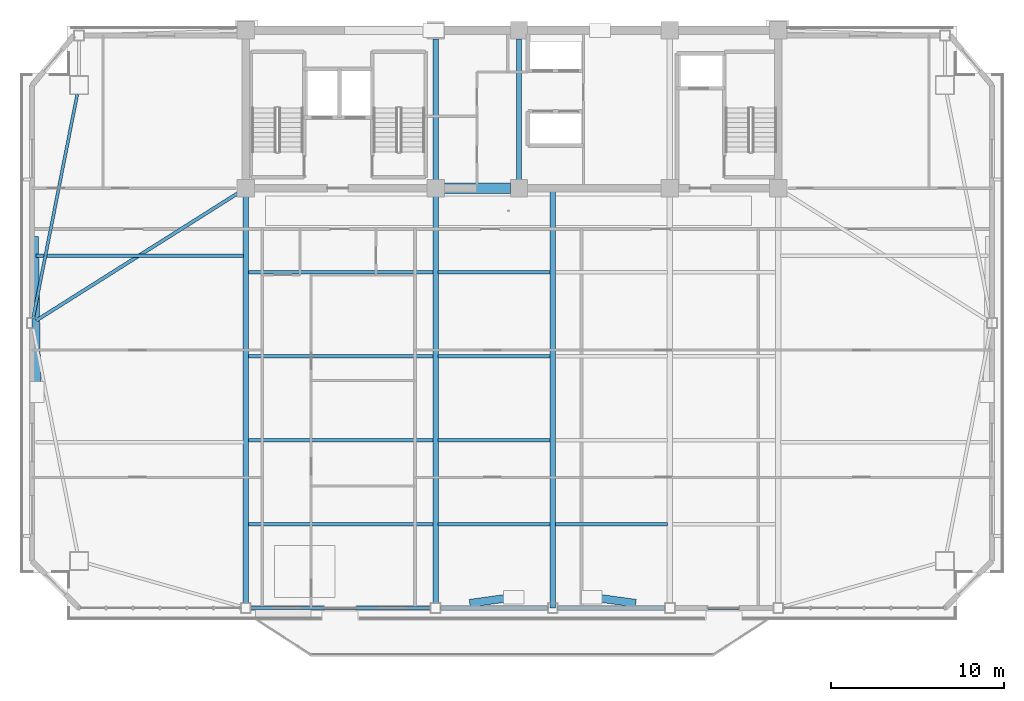
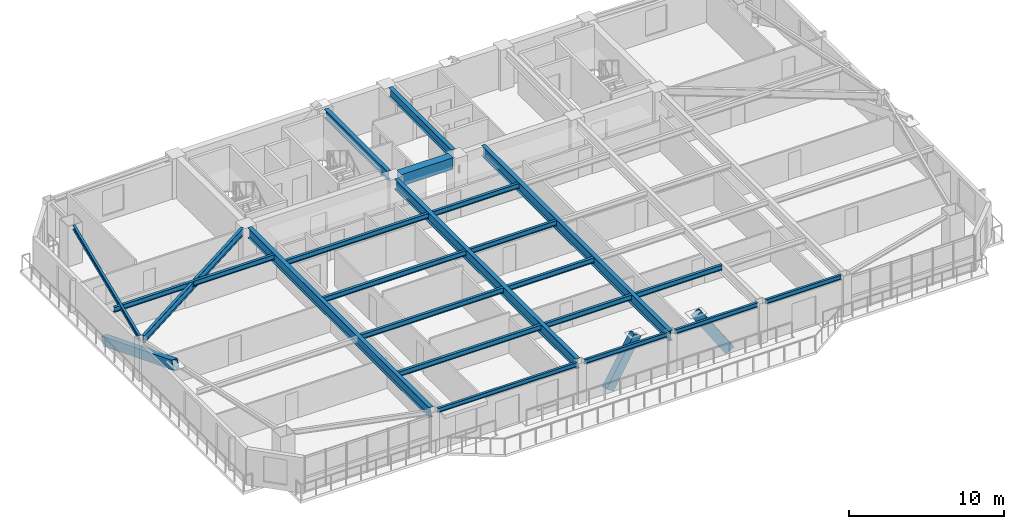
# One storey, part 3 of 16: 22 beams, 3 members.
"""IFC4 building model written with IfcOpenShell, lengths in metres."""

from ifc_helpers import new_model, si_unit, direction, frame, origin, origin_2d, place, context, subcontext, project, spatial, rectangle, hollow_rectangle, i_section, extrude, source, transform, mapped, material, material_profile, profile_set, type_object, element, save


model = new_model("IFC4")

# Units and contexts
model_context = context("Model", 3, precision=1e-05, world=origin(), true_north=direction((0.0, 1.0)))
body_context = subcontext(model_context, "Body", "Model", "MODEL_VIEW")
ifc_project = project(units=[si_unit("LENGTHUNIT", "METRE"), si_unit("AREAUNIT", "SQUARE_METRE"), si_unit("VOLUMEUNIT", "CUBIC_METRE"), si_unit("PLANEANGLEUNIT", "RADIAN"), si_unit("MASSUNIT", "GRAM", prefix="KILO")], contexts=[model_context])

# Site, building, storey
site_placement = place(None, origin())
site = spatial("IfcSite", under=ifc_project, at=site_placement, CompositionType="ELEMENT")
building_placement = place(site_placement, origin())
building = spatial("IfcBuilding", under=site, at=building_placement, Name="Giltprow Tower", CompositionType="ELEMENT")
storey_placement = place(building_placement, frame((0.0, 0.0, 230.39990234375)))
storey = spatial("IfcBuildingStorey", under=building, at=storey_placement, Name="L58", CompositionType="ELEMENT", Elevation=230.39990234375)

# Beams
ifc_material_1 = material(Name="Concrete C50", Category="concrete")
ifc_material_profile_1 = material_profile(ifc_material_1, rectangle(XDim=0.60009765625, YDim=0.89990234375, at=origin_2d()), Name="RC 900x600")
ifc_profile_set_1 = profile_set([ifc_material_profile_1], Name="Concrete C50")
beam_type_1 = type_object("IfcBeamType", Name="BM-CPL-RC900", PredefinedType="LINTEL", material=ifc_profile_set_1)
shared_shape_1 = source(origin(), body_context, "Body", "SweptSolid", [
    extrude(rectangle(XDim=0.60009765625, YDim=0.89990234375, at=origin_2d()), origin(), (0.0, 0.0, 1.0), 3.830078125),
])
beam_1_placement = place(storey_placement, frame((31.284912109375, 37.449951171875, 2.735107421875), z_axis=(1.0, 0.0, 0.0), x_axis=(0.0, 1.0, 0.0)))
element("IfcBeam", 1, at=beam_1_placement, inside=storey, type_object=beam_type_1, Name="L58 Core Coupling Beam CB-1", PredefinedType="LINTEL", context=body_context, shape_type="MappedRepresentation", body=[
    mapped(shared_shape_1, transform((0.0, 0.0, 0.0), x_axis=(1.0, 0.0, 0.0), y_axis=(0.0, 1.0, 0.0), z_axis=(0.0, 0.0, 1.0), scale=1.0)),
])
ifc_material_2 = material(Name="Structural steel Q355B", Category="steel")
ifc_material_profile_2 = material_profile(ifc_material_2, i_section(OverallWidth=0.300048828125, OverallDepth=0.699951171875, WebThickness=0.012939453125, FlangeThickness=0.02392578125, at=origin_2d()), Name="HN 700x300x13x24")
ifc_profile_set_2 = profile_set([ifc_material_profile_2], Name="Structural steel Q355B")
beam_type_2 = type_object("IfcBeamType", Name="BM-GIRD-HN700", PredefinedType="BEAM", material=ifc_profile_set_2)
shared_shape_2 = source(origin(), body_context, "Body", "SweptSolid", [
    extrude(i_section(OverallWidth=0.300048828125, OverallDepth=0.699951171875, WebThickness=0.012939453125, FlangeThickness=0.02392578125, at=origin_2d()), origin(), (0.0, 0.0, 1.0), 8.1298828125),
])
for number, where, z_axis, x_axis, name in (
    (2, (30.800048828125, 37.93505859375, 2.835205078125), (0.0, 1.0, 0.0), (-1.0, 0.0, 0.0), "L58 Core Tie Girder M1"),
    (3, (35.60009765625, 37.93505859375, 2.835205078125), (0.0, 1.0, 0.0), (-1.0, 0.0, 0.0), "L58 Core Tie Girder M2"),
):
    element("IfcBeam", number, at=place(storey_placement, frame(where, z_axis=z_axis, x_axis=x_axis)), inside=storey, type_object=beam_type_2, Name=name, PredefinedType="BEAM", context=body_context, shape_type="MappedRepresentation", body=[
        mapped(shared_shape_2, transform((0.0, 0.0, 0.0), x_axis=(1.0, 0.0, 0.0), y_axis=(0.0, 1.0, 0.0), z_axis=(0.0, 0.0, 1.0), scale=1.0)),
    ])
ifc_material_profile_3 = material_profile(ifc_material_2, i_section(OverallWidth=0.199951171875, OverallDepth=0.39990234375, WebThickness=0.008056640625, FlangeThickness=0.012939453125, at=origin_2d()), Name="HN 400x200x8x13")
ifc_profile_set_3 = profile_set([ifc_material_profile_3], Name="Structural steel Q355B")
beam_type_3 = type_object("IfcBeamType", Name="BM-JOIST-HN400", PredefinedType="JOIST", material=ifc_profile_set_3)
shared_shape_3 = source(origin(), body_context, "Body", "SweptSolid", [
    extrude(i_section(OverallWidth=0.199951171875, OverallDepth=0.39990234375, WebThickness=0.008056640625, FlangeThickness=0.012939453125, at=origin_2d()), origin(), (0.0, 0.0, 1.0), 10.659912109375),
])
for number, where, z_axis, x_axis, name in (
    (4, (19.9951171875, 18.090087890625, 2.985107421875), (1.0, 0.0, 0.0), (0.0, 1.0, 0.0), "L58 Composite Floor Joist 1-1"),
    (5, (19.9951171875, 22.929931640625, 2.985107421875), (1.0, 0.0, 0.0), (0.0, 1.0, 0.0), "L58 Composite Floor Joist 2-1"),
    (6, (19.9951171875, 27.77001953125, 2.985107421875), (1.0, 0.0, 0.0), (0.0, 1.0, 0.0), "L58 Composite Floor Joist 3-1"),
    (7, (19.9951171875, 32.610107421875, 2.985107421875), (1.0, 0.0, 0.0), (0.0, 1.0, 0.0), "L58 Composite Floor Joist 4-1"),
):
    element("IfcBeam", number, at=place(storey_placement, frame(where, z_axis=z_axis, x_axis=x_axis)), inside=storey, type_object=beam_type_3, Name=name, PredefinedType="JOIST", context=body_context, shape_type="MappedRepresentation", body=[
        mapped(shared_shape_3, transform((0.0, 0.0, 0.0), x_axis=(1.0, 0.0, 0.0), y_axis=(0.0, 1.0, 0.0), z_axis=(0.0, 0.0, 1.0), scale=1.0)),
    ])
shared_shape_4 = source(origin(), body_context, "Body", "SweptSolid", [
    extrude(i_section(OverallWidth=0.199951171875, OverallDepth=0.39990234375, WebThickness=0.008056640625, FlangeThickness=0.012939453125, at=origin_2d()), origin(), (0.0, 0.0, 1.0), 6.4599609375),
])
for number, where, z_axis, x_axis, name in (
    (8, (30.945068359375, 18.090087890625, 2.985107421875), (1.0, 0.0, 0.0), (0.0, 1.0, 0.0), "L58 Composite Floor Joist 1-2"),
    (9, (37.695068359375, 18.090087890625, 2.985107421875), (1.0, 0.0, 0.0), (0.0, 1.0, 0.0), "L58 Composite Floor Joist 1-3"),
    (10, (30.945068359375, 22.929931640625, 2.985107421875), (1.0, 0.0, 0.0), (0.0, 1.0, 0.0), "L58 Composite Floor Joist 2-2"),
    (11, (30.945068359375, 27.77001953125, 2.985107421875), (1.0, 0.0, 0.0), (0.0, 1.0, 0.0), "L58 Composite Floor Joist 3-2"),
    (12, (30.945068359375, 32.610107421875, 2.985107421875), (1.0, 0.0, 0.0), (0.0, 1.0, 0.0), "L58 Composite Floor Joist 4-2"),
):
    element("IfcBeam", number, at=place(storey_placement, frame(where, z_axis=z_axis, x_axis=x_axis)), inside=storey, type_object=beam_type_3, Name=name, PredefinedType="JOIST", context=body_context, shape_type="MappedRepresentation", body=[
        mapped(shared_shape_4, transform((0.0, 0.0, 0.0), x_axis=(1.0, 0.0, 0.0), y_axis=(0.0, 1.0, 0.0), z_axis=(0.0, 0.0, 1.0), scale=1.0)),
    ])
ifc_material_profile_4 = material_profile(ifc_material_2, i_section(OverallWidth=0.300048828125, OverallDepth=0.800048828125, WebThickness=0.013916015625, FlangeThickness=0.02587890625, at=origin_2d()), Name="HN 800x300x14x26")
ifc_profile_set_4 = profile_set([ifc_material_profile_4], Name="Structural steel Q355B")
beam_type_4 = type_object("IfcBeamType", Name="BM-GIRD-HN800", PredefinedType="BEAM", material=ifc_profile_set_4)
shared_shape_5 = source(origin(), body_context, "Body", "SweptSolid", [
    extrude(i_section(OverallWidth=0.300048828125, OverallDepth=0.800048828125, WebThickness=0.013916015625, FlangeThickness=0.02587890625, at=origin_2d()), origin(), (0.0, 0.0, 1.0), 23.43017578125),
])
for number, where, z_axis, x_axis, name in (
    (13, (19.85009765625, 13.534912109375, 2.78515625), (0.0, 1.0, 0.0), (-1.0, 0.0, 0.0), "L58 Primary Lease Girder S1"),
    (14, (30.800048828125, 13.534912109375, 2.78515625), (0.0, 1.0, 0.0), (-1.0, 0.0, 0.0), "L58 Primary Lease Girder S2"),
):
    element("IfcBeam", number, at=place(storey_placement, frame(where, z_axis=z_axis, x_axis=x_axis)), inside=storey, type_object=beam_type_4, Name=name, PredefinedType="BEAM", context=body_context, shape_type="MappedRepresentation", body=[
        mapped(shared_shape_5, transform((0.0, 0.0, 0.0), x_axis=(1.0, 0.0, 0.0), y_axis=(0.0, 1.0, 0.0), z_axis=(0.0, 0.0, 1.0), scale=1.0)),
    ])
shared_shape_6 = source(origin(), body_context, "Body", "SweptSolid", [
    extrude(i_section(OverallWidth=0.300048828125, OverallDepth=0.800048828125, WebThickness=0.013916015625, FlangeThickness=0.02587890625, at=origin_2d()), origin(), (0.0, 0.0, 1.0), 24.199951171875),
])
beam_2_placement = place(storey_placement, frame((37.550048828125, 13.25, 2.78515625), z_axis=(0.0, 1.0, 0.0), x_axis=(-1.0, 0.0, 0.0)))
element("IfcBeam", 15, at=beam_2_placement, inside=storey, type_object=beam_type_4, Name="L58 Central Lease Girder SMID", PredefinedType="BEAM", context=body_context, shape_type="MappedRepresentation", body=[
    mapped(shared_shape_6, transform((0.0, 0.0, 0.0), x_axis=(1.0, 0.0, 0.0), y_axis=(0.0, 1.0, 0.0), z_axis=(0.0, 0.0, 1.0), scale=1.0)),
])
ifc_material_profile_5 = material_profile(ifc_material_2, i_section(OverallWidth=0.199951171875, OverallDepth=0.60009765625, WebThickness=0.010986328125, FlangeThickness=0.01708984375, at=origin_2d()), Name="HN 600x200x11x17")
ifc_profile_set_5 = profile_set([ifc_material_profile_5], Name="Structural steel Q355B")
beam_type_5 = type_object("IfcBeamType", Name="BM-GIRD-HN600", PredefinedType="BEAM", material=ifc_profile_set_5)
shared_shape_7 = source(origin(), body_context, "Body", "SweptSolid", [
    extrude(i_section(OverallWidth=0.199951171875, OverallDepth=0.60009765625, WebThickness=0.010986328125, FlangeThickness=0.01708984375, at=origin_2d()), origin(), (0.0, 0.0, 1.0), 13.7958984375),
])
beam_3_placement = place(storey_placement, frame((7.77392578125, 29.826904296875, 2.885009765625), z_axis=(0.845619658124, 0.533785906328, 0.0), x_axis=(-0.533785906328, 0.845619658124, 0.0)))
element("IfcBeam", 16, at=beam_3_placement, inside=storey, type_object=beam_type_5, Name="L58 West Wing Primary Girder", PredefinedType="BEAM", context=body_context, shape_type="MappedRepresentation", body=[
    mapped(shared_shape_7, transform((0.0, 0.0, 0.0), x_axis=(1.0, 0.0, 0.0), y_axis=(0.0, 1.0, 0.0), z_axis=(0.0, 0.0, 1.0), scale=1.0)),
])
shared_shape_8 = source(origin(), body_context, "Body", "SweptSolid", [
    extrude(i_section(OverallWidth=0.199951171875, OverallDepth=0.39990234375, WebThickness=0.008056640625, FlangeThickness=0.012939453125, at=origin_2d()), origin(), (0.0, 0.0, 1.0), 11.9521484375),
])
beam_4_placement = place(storey_placement, frame((7.7529296875, 33.56201171875, 2.985107421875), z_axis=(1.0, 0.0, 0.0), x_axis=(0.0, 1.0, 0.0)))
element("IfcBeam", 17, at=beam_4_placement, inside=storey, type_object=beam_type_3, Name="L58 West Wing Floor Joist 2", PredefinedType="JOIST", context=body_context, shape_type="MappedRepresentation", body=[
    mapped(shared_shape_8, transform((0.0, 0.0, 0.0), x_axis=(1.0, 0.0, 0.0), y_axis=(0.0, 1.0, 0.0), z_axis=(0.0, 0.0, 1.0), scale=1.0)),
])
ifc_material_profile_6 = material_profile(ifc_material_2, i_section(OverallWidth=0.175048828125, OverallDepth=0.35009765625, WebThickness=0.007080078125, FlangeThickness=0.010986328125, at=origin_2d()), Name="HN 350x175x7x11")
ifc_profile_set_6 = profile_set([ifc_material_profile_6], Name="Structural steel Q355B")
beam_type_6 = type_object("IfcBeamType", Name="BM-SPAN-HN350", PredefinedType="SPANDREL", material=ifc_profile_set_6)
shared_shape_9 = source(origin(), body_context, "Body", "SweptSolid", [
    extrude(i_section(OverallWidth=0.175048828125, OverallDepth=0.35009765625, WebThickness=0.007080078125, FlangeThickness=0.010986328125, at=origin_2d()), origin(), (0.0, 0.0, 1.0), 10.3798828125),
])
beam_5_placement = place(storey_placement, frame((20.135009765625, 13.25, 3.010009765625), z_axis=(1.0, 0.0, 0.0), x_axis=(0.0, 1.0, 0.0)))
element("IfcBeam", 18, at=beam_5_placement, inside=storey, type_object=beam_type_6, Name="L58 Perimeter Spandrel Beam S1-S2", PredefinedType="SPANDREL", context=body_context, shape_type="MappedRepresentation", body=[
    mapped(shared_shape_9, transform((0.0, 0.0, 0.0), x_axis=(1.0, 0.0, 0.0), y_axis=(0.0, 1.0, 0.0), z_axis=(0.0, 0.0, 1.0), scale=1.0)),
])
shared_shape_10 = source(origin(), body_context, "Body", "SweptSolid", [
    extrude(i_section(OverallWidth=0.175048828125, OverallDepth=0.35009765625, WebThickness=0.007080078125, FlangeThickness=0.010986328125, at=origin_2d()), origin(), (0.0, 0.0, 1.0), 6.179931640625),
])
for number, where, z_axis, x_axis, name in (
    (19, (31.0849609375, 13.25, 3.010009765625), (1.0, 0.0, 0.0), (0.0, 1.0, 0.0), "L58 Perimeter Spandrel Beam S2-S_MID"),
    (20, (37.8349609375, 13.25, 3.010009765625), (1.0, 0.0, 0.0), (0.0, 1.0, 0.0), "L58 Perimeter Spandrel Beam S_MID-S3"),
):
    element("IfcBeam", number, at=place(storey_placement, frame(where, z_axis=z_axis, x_axis=x_axis)), inside=storey, type_object=beam_type_6, Name=name, PredefinedType="SPANDREL", context=body_context, shape_type="MappedRepresentation", body=[
        mapped(shared_shape_10, transform((0.0, 0.0, 0.0), x_axis=(1.0, 0.0, 0.0), y_axis=(0.0, 1.0, 0.0), z_axis=(0.0, 0.0, 1.0), scale=1.0)),
    ])
shared_shape_11 = source(origin(), body_context, "Body", "SweptSolid", [
    extrude(i_section(OverallWidth=0.175048828125, OverallDepth=0.35009765625, WebThickness=0.007080078125, FlangeThickness=0.010986328125, at=origin_2d()), origin(), (0.0, 0.0, 1.0), 5.679931640625),
])
beam_6_placement = place(storey_placement, frame((44.5849609375, 13.25, 3.010009765625), z_axis=(1.0, 0.0, 0.0), x_axis=(0.0, 1.0, 0.0)))
element("IfcBeam", 21, at=beam_6_placement, inside=storey, type_object=beam_type_6, Name="L58 Perimeter Spandrel Beam S3-S4", PredefinedType="SPANDREL", context=body_context, shape_type="MappedRepresentation", body=[
    mapped(shared_shape_11, transform((0.0, 0.0, 0.0), x_axis=(1.0, 0.0, 0.0), y_axis=(0.0, 1.0, 0.0), z_axis=(0.0, 0.0, 1.0), scale=1.0)),
])
shared_shape_12 = source(origin(), body_context, "Body", "SweptSolid", [
    extrude(i_section(OverallWidth=0.175048828125, OverallDepth=0.35009765625, WebThickness=0.007080078125, FlangeThickness=0.010986328125, at=origin_2d()), origin(), (0.0, 0.0, 1.0), 13.161865234375),
])
beam_7_placement = place(storey_placement, frame((10.135986328125, 42.867919921875, 3.010009765625), z_axis=(-0.193597089577, -0.981081121471, 0.0), x_axis=(0.981081121471, -0.193597089577, 0.0)))
element("IfcBeam", 22, at=beam_7_placement, inside=storey, type_object=beam_type_6, Name="L58 Perimeter Spandrel Beam MC_NW-W_MID", PredefinedType="SPANDREL", context=body_context, shape_type="MappedRepresentation", body=[
    mapped(shared_shape_12, transform((0.0, 0.0, 0.0), x_axis=(1.0, 0.0, 0.0), y_axis=(0.0, 1.0, 0.0), z_axis=(0.0, 0.0, 1.0), scale=1.0)),
])

# Members
ifc_material_3 = material(Name="Structural steel Q420GJC", Category="steel")
ifc_material_profile_7 = material_profile(ifc_material_3, hollow_rectangle(XDim=0.449951171875, YDim=0.699951171875, WallThickness=0.031982421875, at=origin_2d()), Name="RHS 700x450x32")
ifc_profile_set_7 = profile_set([ifc_material_profile_7], Name="Structural steel Q420GJC")
member_type = type_object("IfcMemberType", Name="MBR-MEGA-RHS700", PredefinedType="BRACE", material=ifc_profile_set_7)
shared_shape_13 = source(origin(), body_context, "Body", "SweptSolid", [
    extrude(hollow_rectangle(XDim=0.449951171875, YDim=0.699951171875, WallThickness=0.031982421875, at=origin_2d()), origin(), (0.0, 0.0, 1.0), 4.0888671875),
])
for number, where, z_axis, x_axis, name in (
    (23, (33.050048828125, 13.56103515625, 0.0), (0.550261534741, 0.075828141181, 0.831542143483), (-0.13651372484, 0.990638179625, 0.0), "L58 Chevron Mega-Brace S-L"),
    (24, (42.050048828125, 13.56103515625, 0.0), (-0.550261534741, 0.075828141181, 0.831542143483), (-0.13651372484, -0.990638179625, 0.0), "L58 Chevron Mega-Brace S-R"),
):
    element("IfcMember", number, at=place(storey_placement, frame(where, z_axis=z_axis, x_axis=x_axis)), inside=storey, type_object=member_type, Name=name, PredefinedType="BRACE", context=body_context, shape_type="MappedRepresentation", body=[
        mapped(shared_shape_13, transform((0.0, 0.0, 0.0), x_axis=(1.0, 0.0, 0.0), y_axis=(0.0, 1.0, 0.0), z_axis=(0.0, 0.0, 1.0), scale=1.0)),
    ])
shared_shape_14 = source(origin(), body_context, "Body", "SweptSolid", [
    extrude(hollow_rectangle(XDim=0.449951171875, YDim=0.699951171875, WallThickness=0.031982421875, at=origin_2d()), origin(), (0.0, 0.0, 1.0), 9.481689453125),
])
member_placement = place(storey_placement, frame((7.6708984375, 34.54296875, 0.0), z_axis=(0.014676902605, -0.933373758842, 0.358605653657), x_axis=(0.999876391844, 0.015722628027, 0.0)))
element("IfcMember", 25, at=member_placement, inside=storey, type_object=member_type, Name="L58 Chevron Mega-Brace W-D", PredefinedType="BRACE", context=body_context, shape_type="MappedRepresentation", body=[
    mapped(shared_shape_14, transform((0.0, 0.0, 0.0), x_axis=(1.0, 0.0, 0.0), y_axis=(0.0, 1.0, 0.0), z_axis=(0.0, 0.0, 1.0), scale=1.0)),
])

save(model, "model.ifc")
